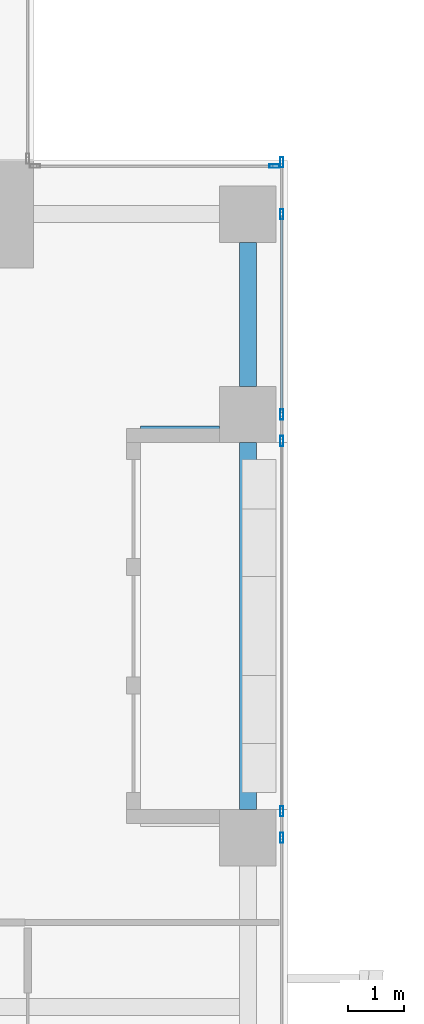
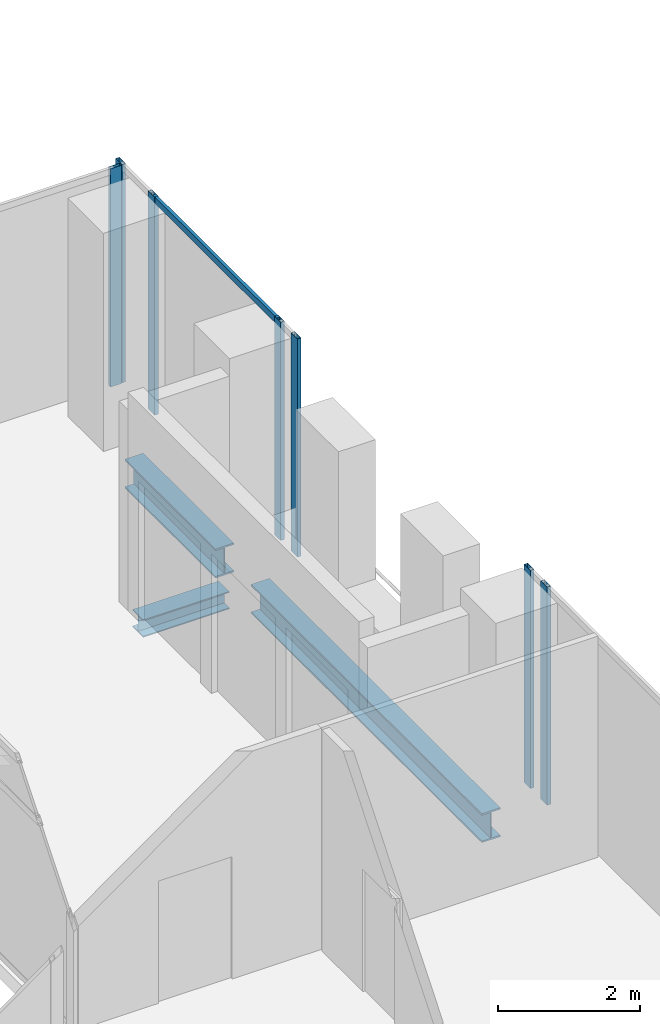
# One storey, part 25 of 40: 8 members, 3 beams, 3 elements without a shape of their own.
"""IFC4 building model written with IfcOpenShell, lengths in metres."""

from ifc_helpers import new_model, si_unit, direction, frame, origin, origin_2d, place, context, subcontext, project, spatial, hollow_rectangle, i_section, extrude, source, transform, mapped, material, material_profile, profile_set, type_object, element, aggregate, save


model = new_model("IFC4")

# Units and contexts
model_context = context("Model", 3, precision=1e-05, world=origin(), true_north=direction((0.0, 1.0)))
body_context = subcontext(model_context, "Body", "Model", "MODEL_VIEW")
ifc_project = project(units=[si_unit("LENGTHUNIT", "METRE"), si_unit("AREAUNIT", "SQUARE_METRE"), si_unit("VOLUMEUNIT", "CUBIC_METRE"), si_unit("PLANEANGLEUNIT", "RADIAN"), si_unit("MASSUNIT", "GRAM", prefix="KILO")], contexts=[model_context])

# Site, building, storey
site_placement = place(None, origin())
site = spatial("IfcSite", under=ifc_project, at=site_placement, CompositionType="ELEMENT")
building_placement = place(site_placement, origin())
building = spatial("IfcBuilding", under=site, at=building_placement, Name="Khomas Fold Tower", CompositionType="ELEMENT")
storey_placement = place(building_placement, frame((0.0, 0.0, 176.699951171875)))
storey = spatial("IfcBuildingStorey", under=building, at=storey_placement, Name="L38", CompositionType="ELEMENT", Elevation=176.699951171875)

# Beams
ifc_material_1 = material(Name="Steel S355", Category="steel")
ifc_material_profile_1 = material_profile(ifc_material_1, i_section(OverallWidth=0.300048828125, OverallDepth=0.5, WebThickness=0.014404296875, FlangeThickness=0.028076171875, at=origin_2d()), Name="HE 500 B")
ifc_profile_set_1 = profile_set([ifc_material_profile_1], Name="Steel S355")
beam_type_1 = type_object("IfcBeamType", Name="HE 500 B spandrel SB3", PredefinedType="SPANDREL", material=ifc_profile_set_1)
shared_shape_1 = source(origin(), body_context, "Body", "SweptSolid", [
    extrude(i_section(OverallWidth=0.300048828125, OverallDepth=0.5, WebThickness=0.014404296875, FlangeThickness=0.028076171875, at=origin_2d()), origin(), (0.0, 0.0, 1.0), 2.550048828125),
])
beam_1_placement = place(storey_placement, frame((50.300048828125, 42.5, -0.5), z_axis=(0.0, 1.0, 0.0), x_axis=(-1.0, 0.0, 0.0)))
element("IfcBeam", 1, at=beam_1_placement, inside=storey, type_object=beam_type_1, Name="SB3", PredefinedType="SPANDREL", context=body_context, shape_type="MappedRepresentation", body=[
    mapped(shared_shape_1, transform((0.0, 0.0, 0.0))),
])
shared_shape_2 = source(origin(), body_context, "Body", "SweptSolid", [
    extrude(i_section(OverallWidth=0.300048828125, OverallDepth=0.5, WebThickness=0.014404296875, FlangeThickness=0.028076171875, at=origin_2d()), origin(), (0.0, 0.0, 1.0), 6.5),
])
beam_2_placement = place(storey_placement, frame((50.300048828125, 35.0, -0.5), z_axis=(0.0, 1.0, 0.0), x_axis=(-1.0, 0.0, 0.0)))
element("IfcBeam", 2, at=beam_2_placement, inside=storey, type_object=beam_type_1, Name="SB3", PredefinedType="SPANDREL", context=body_context, shape_type="MappedRepresentation", body=[
    mapped(shared_shape_2, transform((0.0, 0.0, 0.0))),
])
ifc_material_2 = material(Name="Steel S355", Category="steel")
ifc_material_profile_2 = material_profile(ifc_material_2, i_section(OverallWidth=0.300048828125, OverallDepth=0.300048828125, WebThickness=0.010986328125, FlangeThickness=0.01904296875, at=origin_2d()), Name="HE 300 B")
ifc_profile_set_2 = profile_set([ifc_material_profile_2], Name="Steel S355")
beam_type_2 = type_object("IfcBeamType", Name="HE 300 B beam BB1", PredefinedType="BEAM", material=ifc_profile_set_2)
shared_shape_3 = source(origin(), body_context, "Body", "SweptSolid", [
    extrude(i_section(OverallWidth=0.300048828125, OverallDepth=0.300048828125, WebThickness=0.010986328125, FlangeThickness=0.01904296875, at=origin_2d()), origin(), (0.0, 0.0, 1.0), 1.400146484375),
])
beam_3_placement = place(storey_placement, frame((48.39990234375, 41.64990234375, -0.39990234375), z_axis=(1.0, 0.0, 0.0), x_axis=(0.0, 1.0, 0.0)))
element("IfcBeam", 3, at=beam_3_placement, inside=storey, type_object=beam_type_2, Name="BB1", PredefinedType="BEAM", context=body_context, shape_type="MappedRepresentation", body=[
    mapped(shared_shape_3, transform((0.0, 0.0, 0.0))),
])

# Curtain wall, members
ifc_material_3 = material(Name="Aluminium framed double glazing", Category="aluminium")
curtain_wall_type = type_object("IfcCurtainWallType", Name="SK-Unitised clear-glass wall, office floors CW2", PredefinedType="NOTDEFINED", material=ifc_material_3)
curtain_wall_1_placement = place(storey_placement, origin())
curtain_wall_1 = element("IfcCurtainWall", 4, at=curtain_wall_1_placement, inside=storey, type_object=curtain_wall_type, Name="CW2 run L38 08-0", PredefinedType="NOTDEFINED")
ifc_material_4 = material(Name="Aluminium", Category="aluminium")
ifc_material_profile_3 = material_profile(ifc_material_4, hollow_rectangle(XDim=0.06005859375, YDim=0.179931640625, WallThickness=0.00390625, at=origin_2d()), Name="SK-Unitised clear-glass wall, office floors mullion CW2-M")
ifc_profile_set_3 = profile_set([ifc_material_profile_3], Name="Aluminium")
member_type_1 = type_object("IfcMemberType", Name="SK-Unitised clear-glass wall, office floors mullion CW2-M", PredefinedType="MULLION", material=ifc_profile_set_3)
shared_shape_4 = source(origin(), body_context, "Body", "SweptSolid", [
    extrude(hollow_rectangle(XDim=0.06005859375, YDim=0.179931640625, WallThickness=0.00390625, at=origin_2d()), origin(), (0.0, 0.0, 1.0), 3.75),
])
member_1_placement = place(storey_placement, frame((50.89990234375, 34.5, 0.0), z_axis=(0.0, 0.0, 1.0), x_axis=(-1.0, 0.0, 0.0)))
member_1 = element("IfcMember", 5, at=member_1_placement, type_object=member_type_1, Name="CW2 mullion 6", PredefinedType="MULLION", context=body_context, shape_type="MappedRepresentation", body=[
    mapped(shared_shape_4, transform((0.0, 0.0, 0.0))),
])
member_2_placement = place(storey_placement, frame((50.89990234375, 34.969970703125, 0.0), z_axis=(0.0, 0.0, 1.0), x_axis=(-1.0, 0.0, 0.0)))
member_2 = element("IfcMember", 6, at=member_2_placement, type_object=member_type_1, Name="CW2 mullion 7", PredefinedType="MULLION", context=body_context, shape_type="MappedRepresentation", body=[
    mapped(shared_shape_4, transform((0.0, 0.0, 0.0))),
])
aggregate(curtain_wall_1, [member_1, member_2])

curtain_wall_2_placement = place(storey_placement, origin())
curtain_wall_2 = element("IfcCurtainWall", 7, at=curtain_wall_2_placement, inside=storey, type_object=curtain_wall_type, Name="CW2 run L38 08-1", PredefinedType="NOTDEFINED")
member_3_placement = place(storey_placement, frame((50.89990234375, 41.530029296875, 0.0), z_axis=(0.0, 0.0, 1.0), x_axis=(-1.0, 0.0, 0.0)))
member_3 = element("IfcMember", 8, at=member_3_placement, type_object=member_type_1, Name="CW2 mullion 1", PredefinedType="MULLION", context=body_context, shape_type="MappedRepresentation", body=[
    mapped(shared_shape_4, transform((0.0, 0.0, 0.0))),
])
member_4_placement = place(storey_placement, frame((50.89990234375, 42.0, 0.0), z_axis=(0.0, 0.0, 1.0), x_axis=(-1.0, 0.0, 0.0)))
member_4 = element("IfcMember", 9, at=member_4_placement, type_object=member_type_1, Name="CW2 mullion 2", PredefinedType="MULLION", context=body_context, shape_type="MappedRepresentation", body=[
    mapped(shared_shape_4, transform((0.0, 0.0, 0.0))),
])
member_5_placement = place(storey_placement, frame((50.89990234375, 45.550048828125, 0.0), z_axis=(0.0, 0.0, 1.0), x_axis=(-1.0, 0.0, 0.0)))
member_5 = element("IfcMember", 10, at=member_5_placement, type_object=member_type_1, Name="CW2 mullion 3", PredefinedType="MULLION", context=body_context, shape_type="MappedRepresentation", body=[
    mapped(shared_shape_4, transform((0.0, 0.0, 0.0))),
])
member_6_placement = place(storey_placement, frame((50.89990234375, 46.469970703125, 0.0), z_axis=(0.0, 0.0, 1.0), x_axis=(-1.0, 0.0, 0.0)))
member_6 = element("IfcMember", 11, at=member_6_placement, type_object=member_type_1, Name="CW2 mullion 4", PredefinedType="MULLION", context=body_context, shape_type="MappedRepresentation", body=[
    mapped(shared_shape_4, transform((0.0, 0.0, 0.0))),
])

# Curtain wall, member
curtain_wall_3_placement = place(storey_placement, origin())
curtain_wall_3 = element("IfcCurtainWall", 12, at=curtain_wall_3_placement, inside=storey, type_object=curtain_wall_type, Name="CW2 corner return L38 09", PredefinedType="NOTDEFINED")
member_7_placement = place(storey_placement, frame((50.77001953125, 46.39990234375, 0.0), z_axis=(0.0, 0.0, 1.0), x_axis=(0.0, -1.0, 0.0)))
member_7 = element("IfcMember", 13, at=member_7_placement, type_object=member_type_1, Name="CW2 mullion 1", PredefinedType="MULLION", context=body_context, shape_type="MappedRepresentation", body=[
    mapped(shared_shape_4, transform((0.0, 0.0, 0.0))),
])
aggregate(curtain_wall_3, [member_7])

# Member
ifc_material_5 = material(Name="Aluminium", Category="aluminium")
ifc_material_profile_4 = material_profile(ifc_material_5, hollow_rectangle(XDim=0.050048828125, YDim=0.110107421875, WallThickness=0.00390625, at=origin_2d()), Name="SK-Unitised clear-glass wall, office floors transom CW2-T")
ifc_profile_set_4 = profile_set([ifc_material_profile_4], Name="Aluminium")
member_type_2 = type_object("IfcMemberType", Name="SK-Unitised clear-glass wall, office floors transom CW2-T", PredefinedType="USERDEFINED", material=ifc_profile_set_4)
shared_shape_5 = source(origin(), body_context, "Body", "SweptSolid", [
    extrude(hollow_rectangle(XDim=0.050048828125, YDim=0.110107421875, WallThickness=0.00390625, at=origin_2d()), origin(), (0.0, 0.0, 1.0), 3.489990234375),
])
member_8_placement = place(storey_placement, frame((50.89990234375, 42.030029296875, 3.695068359375), z_axis=(0.0, 1.0, 0.0), x_axis=(-1.0, 0.0, 0.0)))
member_8 = element("IfcMember", 14, at=member_8_placement, type_object=member_type_2, Name="CW2 transom 2", ObjectType="TRANSOM", PredefinedType="USERDEFINED", context=body_context, shape_type="MappedRepresentation", body=[
    mapped(shared_shape_5, transform((0.0, 0.0, 0.0))),
])

aggregate(curtain_wall_2, [member_3, member_4, member_5, member_6, member_8])

save(model, "model.ifc")
